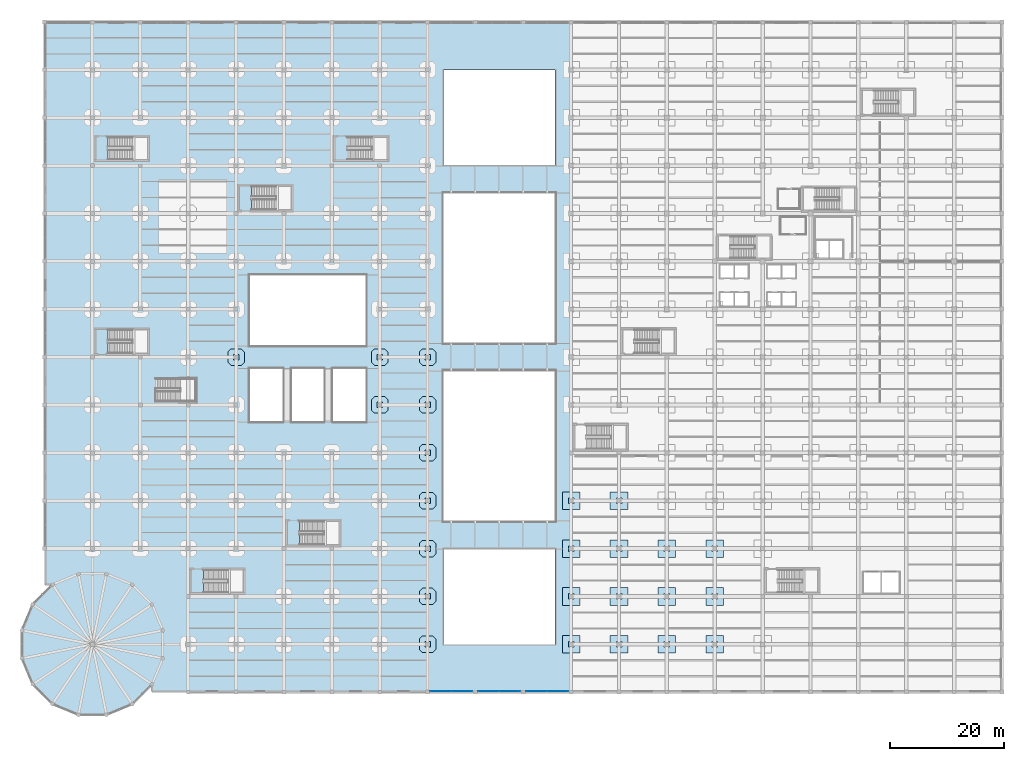
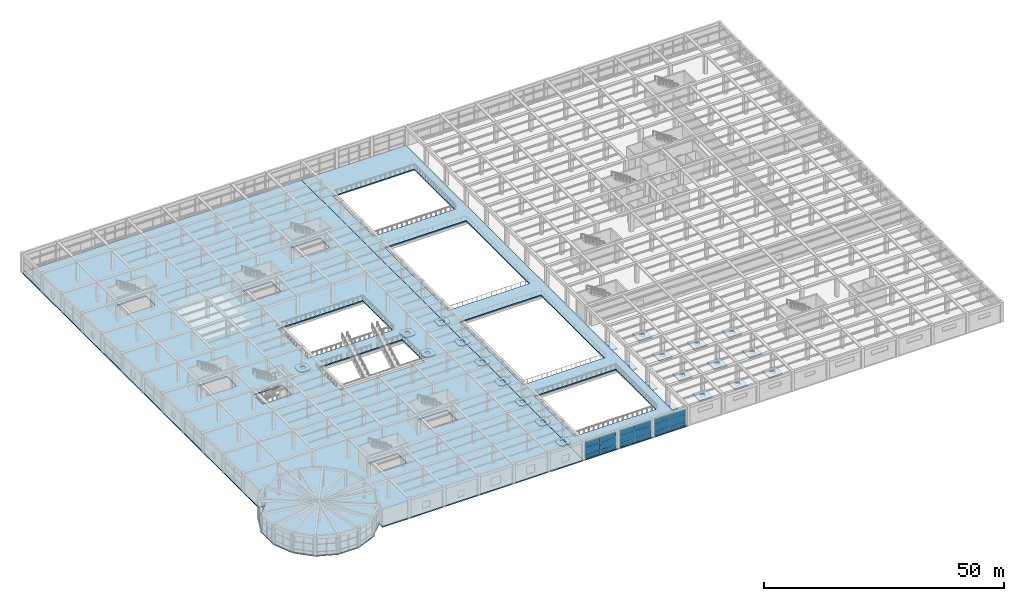
# One storey, part 70 of 96: 26 slabs, 18 plates, 3 elements without a shape of their own.
"""IFC4 building model written with IfcOpenShell, lengths in metres."""

from ifc_helpers import new_model, si_unit, direction, frame, origin, origin_2d, place, context, subcontext, project, spatial, polyline, rectangle, outline, extrude, material, layer, layer_set, type_object, element, aggregate, save


model = new_model("IFC4")

# Units and contexts
model_context = context("Model", 3, precision=1e-05, world=origin(), true_north=direction((0.0, 1.0)))
body_context = subcontext(model_context, "Body", "Model", "MODEL_VIEW")
ifc_project = project(units=[si_unit("LENGTHUNIT", "METRE"), si_unit("AREAUNIT", "SQUARE_METRE"), si_unit("VOLUMEUNIT", "CUBIC_METRE"), si_unit("PLANEANGLEUNIT", "RADIAN"), si_unit("MASSUNIT", "GRAM", prefix="KILO")], contexts=[model_context])

# Site, building, storey
site_placement = place(None, origin())
site = spatial("IfcSite", under=ifc_project, at=site_placement, CompositionType="ELEMENT")
building_placement = place(site_placement, origin())
building = spatial("IfcBuilding", under=site, at=building_placement, Name="Almacenes y Pasaje Nevantli", CompositionType="ELEMENT")
storey_placement = place(building_placement, frame((0.0, 0.0, 6.0)))
storey = spatial("IfcBuildingStorey", under=building, at=storey_placement, Name="L02", CompositionType="ELEMENT", Elevation=6.0)

# Curtain wall, plates
ifc_material_1 = material(Name="Thermally Broken Aluminium and Low-E Glass", Category="aluminium")
curtain_wall_type = type_object("IfcCurtainWallType", Name="CW-STF-ARCADE", PredefinedType="USERDEFINED", material=ifc_material_1)
curtain_wall_1_placement = place(storey_placement, origin())
curtain_wall_1 = element("IfcCurtainWall", 1, at=curtain_wall_1_placement, inside=storey, type_object=curtain_wall_type, Name="L02 South Arcade Portal Curtain Wall Bay 9", ObjectType="STOREFRONT GLAZING", PredefinedType="USERDEFINED")
ifc_material_2 = material(Name="Low-E Double Glazed Insulated Unit", Category="glass")
ifc_layer_1 = layer(ifc_material_2, 0.031982421875)
ifc_layer_set_1 = layer_set([ifc_layer_1], Name="Low-E Double Glazed Insulated Unit")
plate_type = type_object("IfcPlateType", Name="PL-IGU-32", PredefinedType="CURTAIN_PANEL", material=ifc_layer_set_1)
plate_1_placement = place(storey_placement, frame((69.5400390625, 0.14990234375, 0.06005859375), z_axis=(0.0, 0.0, 1.0), x_axis=(1.0, 0.0, 0.0)))
plate_1 = element("IfcPlate", 2, at=plate_1_placement, type_object=plate_type, Name="CW-L02-012 panel 1.1", PredefinedType="CURTAIN_PANEL", context=body_context, shape_type="SweptSolid", body=[
    extrude(rectangle(XDim=3.659912109375, YDim=0.031982421875, at=origin_2d()), origin(), (0.0, 0.0, 1.0), 0.860107421875),
])
plate_2_placement = place(storey_placement, frame((69.5400390625, 0.14990234375, 0.97998046875), z_axis=(0.0, 0.0, 1.0), x_axis=(1.0, 0.0, 0.0)))
plate_2 = element("IfcPlate", 3, at=plate_2_placement, type_object=plate_type, Name="CW-L02-012 panel 1.2", PredefinedType="CURTAIN_PANEL", context=body_context, shape_type="SweptSolid", body=[
    extrude(rectangle(XDim=3.659912109375, YDim=0.031982421875, at=origin_2d()), origin(), (0.0, 0.0, 1.0), 1.840087890625),
])
plate_3_placement = place(storey_placement, frame((69.5400390625, 0.14990234375, 2.880126953125), z_axis=(0.0, 0.0, 1.0), x_axis=(1.0, 0.0, 0.0)))
plate_3 = element("IfcPlate", 4, at=plate_3_placement, type_object=plate_type, Name="CW-L02-012 panel 1.3", PredefinedType="CURTAIN_PANEL", context=body_context, shape_type="SweptSolid", body=[
    extrude(rectangle(XDim=3.659912109375, YDim=0.031982421875, at=origin_2d()), origin(), (0.0, 0.0, 1.0), 1.43994140625),
])
plate_4_placement = place(storey_placement, frame((73.260009765625, 0.14990234375, 0.06005859375), z_axis=(0.0, 0.0, 1.0), x_axis=(1.0, 0.0, 0.0)))
plate_4 = element("IfcPlate", 5, at=plate_4_placement, type_object=plate_type, Name="CW-L02-012 panel 2.1", PredefinedType="CURTAIN_PANEL", context=body_context, shape_type="SweptSolid", body=[
    extrude(rectangle(XDim=3.659912109375, YDim=0.031982421875, at=origin_2d()), origin(), (0.0, 0.0, 1.0), 0.860107421875),
])
plate_5_placement = place(storey_placement, frame((73.260009765625, 0.14990234375, 0.97998046875), z_axis=(0.0, 0.0, 1.0), x_axis=(1.0, 0.0, 0.0)))
plate_5 = element("IfcPlate", 6, at=plate_5_placement, type_object=plate_type, Name="CW-L02-012 panel 2.2", PredefinedType="CURTAIN_PANEL", context=body_context, shape_type="SweptSolid", body=[
    extrude(rectangle(XDim=3.659912109375, YDim=0.031982421875, at=origin_2d()), origin(), (0.0, 0.0, 1.0), 1.840087890625),
])
plate_6_placement = place(storey_placement, frame((73.260009765625, 0.14990234375, 2.880126953125), z_axis=(0.0, 0.0, 1.0), x_axis=(1.0, 0.0, 0.0)))
plate_6 = element("IfcPlate", 7, at=plate_6_placement, type_object=plate_type, Name="CW-L02-012 panel 2.3", PredefinedType="CURTAIN_PANEL", context=body_context, shape_type="SweptSolid", body=[
    extrude(rectangle(XDim=3.659912109375, YDim=0.031982421875, at=origin_2d()), origin(), (0.0, 0.0, 1.0), 1.43994140625),
])
aggregate(curtain_wall_1, [plate_1, plate_2, plate_3, plate_4, plate_5, plate_6])

curtain_wall_2_placement = place(storey_placement, origin())
curtain_wall_2 = element("IfcCurtainWall", 8, at=curtain_wall_2_placement, inside=storey, type_object=curtain_wall_type, Name="L02 South Arcade Portal Curtain Wall Bay 10", ObjectType="STOREFRONT GLAZING", PredefinedType="USERDEFINED")
plate_7_placement = place(storey_placement, frame((77.93994140625, 0.14990234375, 0.06005859375), z_axis=(0.0, 0.0, 1.0), x_axis=(1.0, 0.0, 0.0)))
plate_7 = element("IfcPlate", 9, at=plate_7_placement, type_object=plate_type, Name="CW-L02-013 panel 1.1", PredefinedType="CURTAIN_PANEL", context=body_context, shape_type="SweptSolid", body=[
    extrude(rectangle(XDim=3.659912109375, YDim=0.031982421875, at=origin_2d()), origin(), (0.0, 0.0, 1.0), 0.860107421875),
])
plate_8_placement = place(storey_placement, frame((77.93994140625, 0.14990234375, 0.97998046875), z_axis=(0.0, 0.0, 1.0), x_axis=(1.0, 0.0, 0.0)))
plate_8 = element("IfcPlate", 10, at=plate_8_placement, type_object=plate_type, Name="CW-L02-013 panel 1.2", PredefinedType="CURTAIN_PANEL", context=body_context, shape_type="SweptSolid", body=[
    extrude(rectangle(XDim=3.659912109375, YDim=0.031982421875, at=origin_2d()), origin(), (0.0, 0.0, 1.0), 1.840087890625),
])
plate_9_placement = place(storey_placement, frame((77.93994140625, 0.14990234375, 2.880126953125), z_axis=(0.0, 0.0, 1.0), x_axis=(1.0, 0.0, 0.0)))
plate_9 = element("IfcPlate", 11, at=plate_9_placement, type_object=plate_type, Name="CW-L02-013 panel 1.3", PredefinedType="CURTAIN_PANEL", context=body_context, shape_type="SweptSolid", body=[
    extrude(rectangle(XDim=3.659912109375, YDim=0.031982421875, at=origin_2d()), origin(), (0.0, 0.0, 1.0), 1.43994140625),
])
plate_10_placement = place(storey_placement, frame((81.659912109375, 0.14990234375, 0.06005859375), z_axis=(0.0, 0.0, 1.0), x_axis=(1.0, 0.0, 0.0)))
plate_10 = element("IfcPlate", 12, at=plate_10_placement, type_object=plate_type, Name="CW-L02-013 panel 2.1", PredefinedType="CURTAIN_PANEL", context=body_context, shape_type="SweptSolid", body=[
    extrude(rectangle(XDim=3.659912109375, YDim=0.031982421875, at=origin_2d()), origin(), (0.0, 0.0, 1.0), 0.860107421875),
])
plate_11_placement = place(storey_placement, frame((81.659912109375, 0.14990234375, 0.97998046875), z_axis=(0.0, 0.0, 1.0), x_axis=(1.0, 0.0, 0.0)))
plate_11 = element("IfcPlate", 13, at=plate_11_placement, type_object=plate_type, Name="CW-L02-013 panel 2.2", PredefinedType="CURTAIN_PANEL", context=body_context, shape_type="SweptSolid", body=[
    extrude(rectangle(XDim=3.659912109375, YDim=0.031982421875, at=origin_2d()), origin(), (0.0, 0.0, 1.0), 1.840087890625),
])
plate_12_placement = place(storey_placement, frame((81.659912109375, 0.14990234375, 2.880126953125), z_axis=(0.0, 0.0, 1.0), x_axis=(1.0, 0.0, 0.0)))
plate_12 = element("IfcPlate", 14, at=plate_12_placement, type_object=plate_type, Name="CW-L02-013 panel 2.3", PredefinedType="CURTAIN_PANEL", context=body_context, shape_type="SweptSolid", body=[
    extrude(rectangle(XDim=3.659912109375, YDim=0.031982421875, at=origin_2d()), origin(), (0.0, 0.0, 1.0), 1.43994140625),
])
aggregate(curtain_wall_2, [plate_7, plate_8, plate_9, plate_10, plate_11, plate_12])

curtain_wall_3_placement = place(storey_placement, origin())
curtain_wall_3 = element("IfcCurtainWall", 15, at=curtain_wall_3_placement, inside=storey, type_object=curtain_wall_type, Name="L02 South Arcade Portal Curtain Wall Bay 11", ObjectType="STOREFRONT GLAZING", PredefinedType="USERDEFINED")
plate_13_placement = place(storey_placement, frame((86.340087890625, 0.14990234375, 0.06005859375), z_axis=(0.0, 0.0, 1.0), x_axis=(1.0, 0.0, 0.0)))
plate_13 = element("IfcPlate", 16, at=plate_13_placement, type_object=plate_type, Name="CW-L02-014 panel 1.1", PredefinedType="CURTAIN_PANEL", context=body_context, shape_type="SweptSolid", body=[
    extrude(rectangle(XDim=3.659912109375, YDim=0.031982421875, at=origin_2d()), origin(), (0.0, 0.0, 1.0), 0.860107421875),
])
plate_14_placement = place(storey_placement, frame((86.340087890625, 0.14990234375, 0.97998046875), z_axis=(0.0, 0.0, 1.0), x_axis=(1.0, 0.0, 0.0)))
plate_14 = element("IfcPlate", 17, at=plate_14_placement, type_object=plate_type, Name="CW-L02-014 panel 1.2", PredefinedType="CURTAIN_PANEL", context=body_context, shape_type="SweptSolid", body=[
    extrude(rectangle(XDim=3.659912109375, YDim=0.031982421875, at=origin_2d()), origin(), (0.0, 0.0, 1.0), 1.840087890625),
])
plate_15_placement = place(storey_placement, frame((86.340087890625, 0.14990234375, 2.880126953125), z_axis=(0.0, 0.0, 1.0), x_axis=(1.0, 0.0, 0.0)))
plate_15 = element("IfcPlate", 18, at=plate_15_placement, type_object=plate_type, Name="CW-L02-014 panel 1.3", PredefinedType="CURTAIN_PANEL", context=body_context, shape_type="SweptSolid", body=[
    extrude(rectangle(XDim=3.659912109375, YDim=0.031982421875, at=origin_2d()), origin(), (0.0, 0.0, 1.0), 1.43994140625),
])
plate_16_placement = place(storey_placement, frame((90.06005859375, 0.14990234375, 0.06005859375), z_axis=(0.0, 0.0, 1.0), x_axis=(1.0, 0.0, 0.0)))
plate_16 = element("IfcPlate", 19, at=plate_16_placement, type_object=plate_type, Name="CW-L02-014 panel 2.1", PredefinedType="CURTAIN_PANEL", context=body_context, shape_type="SweptSolid", body=[
    extrude(rectangle(XDim=3.659912109375, YDim=0.031982421875, at=origin_2d()), origin(), (0.0, 0.0, 1.0), 0.860107421875),
])
plate_17_placement = place(storey_placement, frame((90.06005859375, 0.14990234375, 0.97998046875), z_axis=(0.0, 0.0, 1.0), x_axis=(1.0, 0.0, 0.0)))
plate_17 = element("IfcPlate", 20, at=plate_17_placement, type_object=plate_type, Name="CW-L02-014 panel 2.2", PredefinedType="CURTAIN_PANEL", context=body_context, shape_type="SweptSolid", body=[
    extrude(rectangle(XDim=3.659912109375, YDim=0.031982421875, at=origin_2d()), origin(), (0.0, 0.0, 1.0), 1.840087890625),
])
plate_18_placement = place(storey_placement, frame((90.06005859375, 0.14990234375, 2.880126953125), z_axis=(0.0, 0.0, 1.0), x_axis=(1.0, 0.0, 0.0)))
plate_18 = element("IfcPlate", 21, at=plate_18_placement, type_object=plate_type, Name="CW-L02-014 panel 2.3", PredefinedType="CURTAIN_PANEL", context=body_context, shape_type="SweptSolid", body=[
    extrude(rectangle(XDim=3.659912109375, YDim=0.031982421875, at=origin_2d()), origin(), (0.0, 0.0, 1.0), 1.43994140625),
])
aggregate(curtain_wall_3, [plate_13, plate_14, plate_15, plate_16, plate_17, plate_18])

# Slabs
ifc_material_3 = material(Name="Concrete C35/45", Category="concrete")
ifc_layer_2 = layer(ifc_material_3, 0.25)
ifc_layer_set_2 = layer_set([ifc_layer_2], Name="Concrete C35/45")
slab_type_1 = type_object("IfcSlabType", Name="SLB-DP-250", PredefinedType="USERDEFINED", material=ifc_layer_set_2)
slab_1_placement = place(storey_placement, frame((0.0, 0.0, -0.550048828125)))
element("IfcSlab", 22, at=slab_1_placement, inside=storey, type_object=slab_type_1, Name="L02 Punching-Shear Drop Panel DP-02 #433", ObjectType="DROP PANEL", PredefinedType="USERDEFINED", context=body_context, shape_type="SweptSolid", body=[
    extrude(outline(polyline([(32.699951171875, 57.35009765625), (34.5, 57.35009765625), (35.050048828125, 57.89990234375), (35.050048828125, 59.699951171875), (34.5, 60.25), (32.699951171875, 60.25), (32.14990234375, 59.699951171875), (32.14990234375, 57.89990234375), (32.699951171875, 57.35009765625)]), holes=[polyline([(33.1201171875, 58.320068359375), (34.080078125, 58.320068359375), (34.080078125, 59.280029296875), (33.1201171875, 59.280029296875), (33.1201171875, 58.320068359375)])]), origin(), (0.0, 0.0, 1.0), 0.25),
])
slab_2_placement = place(storey_placement, frame((0.0, 0.0, -0.550048828125)))
element("IfcSlab", 23, at=slab_2_placement, inside=storey, type_object=slab_type_1, Name="L02 Punching-Shear Drop Panel DP-02 #460", ObjectType="DROP PANEL", PredefinedType="USERDEFINED", context=body_context, shape_type="SweptSolid", body=[
    extrude(outline(polyline([(57.89990234375, 48.949951171875), (59.699951171875, 48.949951171875), (60.25, 49.5), (60.25, 51.300048828125), (59.699951171875, 51.85009765625), (57.89990234375, 51.85009765625), (57.35009765625, 51.300048828125), (57.35009765625, 49.5), (57.89990234375, 48.949951171875)]), holes=[polyline([(58.320068359375, 49.919921875), (59.280029296875, 49.919921875), (59.280029296875, 50.8798828125), (58.320068359375, 50.8798828125), (58.320068359375, 49.919921875)])]), origin(), (0.0, 0.0, 1.0), 0.25),
])
slab_3_placement = place(storey_placement, frame((0.0, 0.0, -0.550048828125)))
element("IfcSlab", 24, at=slab_3_placement, inside=storey, type_object=slab_type_1, Name="L02 Punching-Shear Drop Panel DP-02 #461", ObjectType="DROP PANEL", PredefinedType="USERDEFINED", context=body_context, shape_type="SweptSolid", body=[
    extrude(outline(polyline([(57.89990234375, 57.35009765625), (59.699951171875, 57.35009765625), (60.25, 57.89990234375), (60.25, 59.699951171875), (59.699951171875, 60.25), (57.89990234375, 60.25), (57.35009765625, 59.699951171875), (57.35009765625, 57.89990234375), (57.89990234375, 57.35009765625)]), holes=[polyline([(58.320068359375, 58.320068359375), (59.280029296875, 58.320068359375), (59.280029296875, 59.280029296875), (58.320068359375, 59.280029296875), (58.320068359375, 58.320068359375)])]), origin(), (0.0, 0.0, 1.0), 0.25),
])
slab_4_placement = place(storey_placement, frame((0.0, 0.0, -0.550048828125)))
element("IfcSlab", 25, at=slab_4_placement, inside=storey, type_object=slab_type_1, Name="L02 Punching-Shear Drop Panel DP-02 #467", ObjectType="DROP PANEL", PredefinedType="USERDEFINED", context=body_context, shape_type="SweptSolid", body=[
    extrude(outline(polyline([(66.300048828125, 6.949951171875), (68.10009765625, 6.949951171875), (68.64990234375, 7.5), (68.64990234375, 9.300048828125), (68.10009765625, 9.85009765625), (66.300048828125, 9.85009765625), (65.75, 9.300048828125), (65.75, 7.5), (66.300048828125, 6.949951171875)]), holes=[polyline([(66.719970703125, 7.919921875), (67.679931640625, 7.919921875), (67.679931640625, 8.8798828125), (66.719970703125, 8.8798828125), (66.719970703125, 7.919921875)])]), origin(), (0.0, 0.0, 1.0), 0.25),
])
slab_5_placement = place(storey_placement, frame((0.0, 0.0, -0.550048828125)))
element("IfcSlab", 26, at=slab_5_placement, inside=storey, type_object=slab_type_1, Name="L02 Punching-Shear Drop Panel DP-02 #468", ObjectType="DROP PANEL", PredefinedType="USERDEFINED", context=body_context, shape_type="SweptSolid", body=[
    extrude(outline(polyline([(66.300048828125, 15.35009765625), (68.10009765625, 15.35009765625), (68.64990234375, 15.89990234375), (68.64990234375, 17.699951171875), (68.10009765625, 18.25), (66.300048828125, 18.25), (65.75, 17.699951171875), (65.75, 15.89990234375), (66.300048828125, 15.35009765625)]), holes=[polyline([(66.719970703125, 16.320068359375), (67.679931640625, 16.320068359375), (67.679931640625, 17.280029296875), (66.719970703125, 17.280029296875), (66.719970703125, 16.320068359375)])]), origin(), (0.0, 0.0, 1.0), 0.25),
])
slab_6_placement = place(storey_placement, frame((0.0, 0.0, -0.550048828125)))
element("IfcSlab", 27, at=slab_6_placement, inside=storey, type_object=slab_type_1, Name="L02 Punching-Shear Drop Panel DP-02 #469", ObjectType="DROP PANEL", PredefinedType="USERDEFINED", context=body_context, shape_type="SweptSolid", body=[
    extrude(outline(polyline([(66.300048828125, 23.75), (68.10009765625, 23.75), (68.64990234375, 24.300048828125), (68.64990234375, 26.10009765625), (68.10009765625, 26.64990234375), (66.300048828125, 26.64990234375), (65.75, 26.10009765625), (65.75, 24.300048828125), (66.300048828125, 23.75)]), holes=[polyline([(66.719970703125, 24.719970703125), (67.679931640625, 24.719970703125), (67.679931640625, 25.679931640625), (66.719970703125, 25.679931640625), (66.719970703125, 24.719970703125)])]), origin(), (0.0, 0.0, 1.0), 0.25),
])
slab_7_placement = place(storey_placement, frame((0.0, 0.0, -0.550048828125)))
element("IfcSlab", 28, at=slab_7_placement, inside=storey, type_object=slab_type_1, Name="L02 Punching-Shear Drop Panel DP-02 #470", ObjectType="DROP PANEL", PredefinedType="USERDEFINED", context=body_context, shape_type="SweptSolid", body=[
    extrude(outline(polyline([(66.300048828125, 32.14990234375), (68.10009765625, 32.14990234375), (68.64990234375, 32.699951171875), (68.64990234375, 34.5), (68.10009765625, 35.050048828125), (66.300048828125, 35.050048828125), (65.75, 34.5), (65.75, 32.699951171875), (66.300048828125, 32.14990234375)]), holes=[polyline([(66.719970703125, 33.1201171875), (67.679931640625, 33.1201171875), (67.679931640625, 34.080078125), (66.719970703125, 34.080078125), (66.719970703125, 33.1201171875)])]), origin(), (0.0, 0.0, 1.0), 0.25),
])
slab_8_placement = place(storey_placement, frame((0.0, 0.0, -0.550048828125)))
element("IfcSlab", 29, at=slab_8_placement, inside=storey, type_object=slab_type_1, Name="L02 Punching-Shear Drop Panel DP-02 #471", ObjectType="DROP PANEL", PredefinedType="USERDEFINED", context=body_context, shape_type="SweptSolid", body=[
    extrude(outline(polyline([(66.300048828125, 40.550048828125), (68.10009765625, 40.550048828125), (68.64990234375, 41.10009765625), (68.64990234375, 42.89990234375), (68.10009765625, 43.449951171875), (66.300048828125, 43.449951171875), (65.75, 42.89990234375), (65.75, 41.10009765625), (66.300048828125, 40.550048828125)]), holes=[polyline([(66.719970703125, 41.52001953125), (67.679931640625, 41.52001953125), (67.679931640625, 42.47998046875), (66.719970703125, 42.47998046875), (66.719970703125, 41.52001953125)])]), origin(), (0.0, 0.0, 1.0), 0.25),
])
slab_9_placement = place(storey_placement, frame((0.0, 0.0, -0.550048828125)))
element("IfcSlab", 30, at=slab_9_placement, inside=storey, type_object=slab_type_1, Name="L02 Punching-Shear Drop Panel DP-02 #472", ObjectType="DROP PANEL", PredefinedType="USERDEFINED", context=body_context, shape_type="SweptSolid", body=[
    extrude(outline(polyline([(66.300048828125, 48.949951171875), (68.10009765625, 48.949951171875), (68.64990234375, 49.5), (68.64990234375, 51.300048828125), (68.10009765625, 51.85009765625), (66.300048828125, 51.85009765625), (65.75, 51.300048828125), (65.75, 49.5), (66.300048828125, 48.949951171875)]), holes=[polyline([(66.719970703125, 49.919921875), (67.679931640625, 49.919921875), (67.679931640625, 50.8798828125), (66.719970703125, 50.8798828125), (66.719970703125, 49.919921875)])]), origin(), (0.0, 0.0, 1.0), 0.25),
])
slab_10_placement = place(storey_placement, frame((0.0, 0.0, -0.550048828125)))
element("IfcSlab", 31, at=slab_10_placement, inside=storey, type_object=slab_type_1, Name="L02 Punching-Shear Drop Panel DP-02 #473", ObjectType="DROP PANEL", PredefinedType="USERDEFINED", context=body_context, shape_type="SweptSolid", body=[
    extrude(outline(polyline([(66.300048828125, 57.35009765625), (68.10009765625, 57.35009765625), (68.64990234375, 57.89990234375), (68.64990234375, 59.699951171875), (68.10009765625, 60.25), (66.300048828125, 60.25), (65.75, 59.699951171875), (65.75, 57.89990234375), (66.300048828125, 57.35009765625)]), holes=[polyline([(66.719970703125, 58.320068359375), (67.679931640625, 58.320068359375), (67.679931640625, 59.280029296875), (66.719970703125, 59.280029296875), (66.719970703125, 58.320068359375)])]), origin(), (0.0, 0.0, 1.0), 0.25),
])
ifc_material_4 = material(Name="Concrete C35/45", Category="concrete")
ifc_layer_3 = layer(ifc_material_4, 0.31005859375)
ifc_layer_set_3 = layer_set([ifc_layer_3], Name="Concrete C35/45")
slab_type_2 = type_object("IfcSlabType", Name="SLB-DP-310", PredefinedType="USERDEFINED", material=ifc_layer_set_3)
slab_11_placement = place(storey_placement, frame((0.0, 0.0, -0.610107421875)))
element("IfcSlab", 32, at=slab_11_placement, inside=storey, type_object=slab_type_2, Name="L02 Punching-Shear Drop Panel DP-03 #480", ObjectType="DROP PANEL", PredefinedType="USERDEFINED", context=body_context, shape_type="SweptSolid", body=[
    extrude(outline(polyline([(90.85009765625, 6.85009765625), (93.949951171875, 6.85009765625), (93.949951171875, 9.949951171875), (90.85009765625, 9.949951171875), (90.85009765625, 6.85009765625)]), holes=[polyline([(91.919921875, 7.919921875), (92.8798828125, 7.919921875), (92.8798828125, 8.8798828125), (91.919921875, 8.8798828125), (91.919921875, 7.919921875)])]), origin(), (0.0, 0.0, 1.0), 0.31005859375),
])
slab_12_placement = place(storey_placement, frame((0.0, 0.0, -0.610107421875)))
element("IfcSlab", 33, at=slab_12_placement, inside=storey, type_object=slab_type_2, Name="L02 Punching-Shear Drop Panel DP-03 #481", ObjectType="DROP PANEL", PredefinedType="USERDEFINED", context=body_context, shape_type="SweptSolid", body=[
    extrude(outline(polyline([(90.85009765625, 15.25), (93.949951171875, 15.25), (93.949951171875, 18.35009765625), (90.85009765625, 18.35009765625), (90.85009765625, 15.25)]), holes=[polyline([(91.919921875, 16.320068359375), (92.8798828125, 16.320068359375), (92.8798828125, 17.280029296875), (91.919921875, 17.280029296875), (91.919921875, 16.320068359375)])]), origin(), (0.0, 0.0, 1.0), 0.31005859375),
])
slab_13_placement = place(storey_placement, frame((0.0, 0.0, -0.610107421875)))
element("IfcSlab", 34, at=slab_13_placement, inside=storey, type_object=slab_type_2, Name="L02 Punching-Shear Drop Panel DP-03 #482", ObjectType="DROP PANEL", PredefinedType="USERDEFINED", context=body_context, shape_type="SweptSolid", body=[
    extrude(outline(polyline([(90.85009765625, 23.64990234375), (93.949951171875, 23.64990234375), (93.949951171875, 26.75), (90.85009765625, 26.75), (90.85009765625, 23.64990234375)]), holes=[polyline([(91.919921875, 24.719970703125), (92.8798828125, 24.719970703125), (92.8798828125, 25.679931640625), (91.919921875, 25.679931640625), (91.919921875, 24.719970703125)])]), origin(), (0.0, 0.0, 1.0), 0.31005859375),
])
slab_14_placement = place(storey_placement, frame((0.0, 0.0, -0.610107421875)))
element("IfcSlab", 35, at=slab_14_placement, inside=storey, type_object=slab_type_2, Name="L02 Punching-Shear Drop Panel DP-03 #483", ObjectType="DROP PANEL", PredefinedType="USERDEFINED", context=body_context, shape_type="SweptSolid", body=[
    extrude(outline(polyline([(90.85009765625, 32.050048828125), (93.949951171875, 32.050048828125), (93.949951171875, 35.14990234375), (90.85009765625, 35.14990234375), (90.85009765625, 32.050048828125)]), holes=[polyline([(91.919921875, 33.1201171875), (92.8798828125, 33.1201171875), (92.8798828125, 34.080078125), (91.919921875, 34.080078125), (91.919921875, 33.1201171875)])]), origin(), (0.0, 0.0, 1.0), 0.31005859375),
])
slab_15_placement = place(storey_placement, frame((0.0, 0.0, -0.610107421875)))
element("IfcSlab", 36, at=slab_15_placement, inside=storey, type_object=slab_type_2, Name="L02 Punching-Shear Drop Panel DP-03 #492", ObjectType="DROP PANEL", PredefinedType="USERDEFINED", context=body_context, shape_type="SweptSolid", body=[
    extrude(outline(polyline([(99.25, 6.85009765625), (102.35009765625, 6.85009765625), (102.35009765625, 9.949951171875), (99.25, 9.949951171875), (99.25, 6.85009765625)]), holes=[polyline([(100.320068359375, 7.919921875), (101.280029296875, 7.919921875), (101.280029296875, 8.8798828125), (100.320068359375, 8.8798828125), (100.320068359375, 7.919921875)])]), origin(), (0.0, 0.0, 1.0), 0.31005859375),
])
slab_16_placement = place(storey_placement, frame((0.0, 0.0, -0.610107421875)))
element("IfcSlab", 37, at=slab_16_placement, inside=storey, type_object=slab_type_2, Name="L02 Punching-Shear Drop Panel DP-03 #493", ObjectType="DROP PANEL", PredefinedType="USERDEFINED", context=body_context, shape_type="SweptSolid", body=[
    extrude(outline(polyline([(99.25, 15.25), (102.35009765625, 15.25), (102.35009765625, 18.35009765625), (99.25, 18.35009765625), (99.25, 15.25)]), holes=[polyline([(100.320068359375, 16.320068359375), (101.280029296875, 16.320068359375), (101.280029296875, 17.280029296875), (100.320068359375, 17.280029296875), (100.320068359375, 16.320068359375)])]), origin(), (0.0, 0.0, 1.0), 0.31005859375),
])
slab_17_placement = place(storey_placement, frame((0.0, 0.0, -0.610107421875)))
element("IfcSlab", 38, at=slab_17_placement, inside=storey, type_object=slab_type_2, Name="L02 Punching-Shear Drop Panel DP-03 #494", ObjectType="DROP PANEL", PredefinedType="USERDEFINED", context=body_context, shape_type="SweptSolid", body=[
    extrude(outline(polyline([(99.25, 23.64990234375), (102.35009765625, 23.64990234375), (102.35009765625, 26.75), (99.25, 26.75), (99.25, 23.64990234375)]), holes=[polyline([(100.320068359375, 24.719970703125), (101.280029296875, 24.719970703125), (101.280029296875, 25.679931640625), (100.320068359375, 25.679931640625), (100.320068359375, 24.719970703125)])]), origin(), (0.0, 0.0, 1.0), 0.31005859375),
])
slab_18_placement = place(storey_placement, frame((0.0, 0.0, -0.610107421875)))
element("IfcSlab", 39, at=slab_18_placement, inside=storey, type_object=slab_type_2, Name="L02 Punching-Shear Drop Panel DP-03 #495", ObjectType="DROP PANEL", PredefinedType="USERDEFINED", context=body_context, shape_type="SweptSolid", body=[
    extrude(outline(polyline([(99.25, 32.050048828125), (102.35009765625, 32.050048828125), (102.35009765625, 35.14990234375), (99.25, 35.14990234375), (99.25, 32.050048828125)]), holes=[polyline([(100.320068359375, 33.1201171875), (101.280029296875, 33.1201171875), (101.280029296875, 34.080078125), (100.320068359375, 34.080078125), (100.320068359375, 33.1201171875)])]), origin(), (0.0, 0.0, 1.0), 0.31005859375),
])
slab_19_placement = place(storey_placement, frame((0.0, 0.0, -0.610107421875)))
element("IfcSlab", 40, at=slab_19_placement, inside=storey, type_object=slab_type_2, Name="L02 Punching-Shear Drop Panel DP-03 #503", ObjectType="DROP PANEL", PredefinedType="USERDEFINED", context=body_context, shape_type="SweptSolid", body=[
    extrude(outline(polyline([(107.64990234375, 6.85009765625), (110.75, 6.85009765625), (110.75, 9.949951171875), (107.64990234375, 9.949951171875), (107.64990234375, 6.85009765625)]), holes=[polyline([(108.719970703125, 7.919921875), (109.679931640625, 7.919921875), (109.679931640625, 8.8798828125), (108.719970703125, 8.8798828125), (108.719970703125, 7.919921875)])]), origin(), (0.0, 0.0, 1.0), 0.31005859375),
])
slab_20_placement = place(storey_placement, frame((0.0, 0.0, -0.610107421875)))
element("IfcSlab", 41, at=slab_20_placement, inside=storey, type_object=slab_type_2, Name="L02 Punching-Shear Drop Panel DP-03 #504", ObjectType="DROP PANEL", PredefinedType="USERDEFINED", context=body_context, shape_type="SweptSolid", body=[
    extrude(outline(polyline([(107.64990234375, 15.25), (110.75, 15.25), (110.75, 18.35009765625), (107.64990234375, 18.35009765625), (107.64990234375, 15.25)]), holes=[polyline([(108.719970703125, 16.320068359375), (109.679931640625, 16.320068359375), (109.679931640625, 17.280029296875), (108.719970703125, 17.280029296875), (108.719970703125, 16.320068359375)])]), origin(), (0.0, 0.0, 1.0), 0.31005859375),
])
slab_21_placement = place(storey_placement, frame((0.0, 0.0, -0.610107421875)))
element("IfcSlab", 42, at=slab_21_placement, inside=storey, type_object=slab_type_2, Name="L02 Punching-Shear Drop Panel DP-03 #505", ObjectType="DROP PANEL", PredefinedType="USERDEFINED", context=body_context, shape_type="SweptSolid", body=[
    extrude(outline(polyline([(107.64990234375, 23.64990234375), (110.75, 23.64990234375), (110.75, 26.75), (107.64990234375, 26.75), (107.64990234375, 23.64990234375)]), holes=[polyline([(108.719970703125, 24.719970703125), (109.679931640625, 24.719970703125), (109.679931640625, 25.679931640625), (108.719970703125, 25.679931640625), (108.719970703125, 24.719970703125)])]), origin(), (0.0, 0.0, 1.0), 0.31005859375),
])
slab_22_placement = place(storey_placement, frame((0.0, 0.0, -0.610107421875)))
element("IfcSlab", 43, at=slab_22_placement, inside=storey, type_object=slab_type_2, Name="L02 Punching-Shear Drop Panel DP-03 #515", ObjectType="DROP PANEL", PredefinedType="USERDEFINED", context=body_context, shape_type="SweptSolid", body=[
    extrude(outline(polyline([(116.050048828125, 6.85009765625), (119.14990234375, 6.85009765625), (119.14990234375, 9.949951171875), (116.050048828125, 9.949951171875), (116.050048828125, 6.85009765625)]), holes=[polyline([(117.1201171875, 7.919921875), (118.080078125, 7.919921875), (118.080078125, 8.8798828125), (117.1201171875, 8.8798828125), (117.1201171875, 7.919921875)])]), origin(), (0.0, 0.0, 1.0), 0.31005859375),
])
slab_23_placement = place(storey_placement, frame((0.0, 0.0, -0.610107421875)))
element("IfcSlab", 44, at=slab_23_placement, inside=storey, type_object=slab_type_2, Name="L02 Punching-Shear Drop Panel DP-03 #516", ObjectType="DROP PANEL", PredefinedType="USERDEFINED", context=body_context, shape_type="SweptSolid", body=[
    extrude(outline(polyline([(116.050048828125, 15.25), (119.14990234375, 15.25), (119.14990234375, 18.35009765625), (116.050048828125, 18.35009765625), (116.050048828125, 15.25)]), holes=[polyline([(117.1201171875, 16.320068359375), (118.080078125, 16.320068359375), (118.080078125, 17.280029296875), (117.1201171875, 17.280029296875), (117.1201171875, 16.320068359375)])]), origin(), (0.0, 0.0, 1.0), 0.31005859375),
])
slab_24_placement = place(storey_placement, frame((0.0, 0.0, -0.610107421875)))
element("IfcSlab", 45, at=slab_24_placement, inside=storey, type_object=slab_type_2, Name="L02 Punching-Shear Drop Panel DP-03 #517", ObjectType="DROP PANEL", PredefinedType="USERDEFINED", context=body_context, shape_type="SweptSolid", body=[
    extrude(outline(polyline([(116.050048828125, 23.64990234375), (119.14990234375, 23.64990234375), (119.14990234375, 26.75), (116.050048828125, 26.75), (116.050048828125, 23.64990234375)]), holes=[polyline([(117.1201171875, 24.719970703125), (118.080078125, 24.719970703125), (118.080078125, 25.679931640625), (117.1201171875, 25.679931640625), (117.1201171875, 24.719970703125)])]), origin(), (0.0, 0.0, 1.0), 0.31005859375),
])
ifc_material_5 = material(Name="Concrete C35/45", Category="concrete")
ifc_layer_4 = layer(ifc_material_5, 0.300048828125)
ifc_layer_set_4 = layer_set([ifc_layer_4], Name="Concrete C35/45")
slab_type_3 = type_object("IfcSlabType", Name="SLB-FLR-300", PredefinedType="FLOOR", material=ifc_layer_set_4)
slab_25_placement = place(storey_placement, frame((0.0, 0.0, -0.300048828125)))
element("IfcSlab", 46, at=slab_25_placement, inside=storey, type_object=slab_type_3, Name="L02 West Department Store and Rotunda Floor Slab", PredefinedType="FLOOR", context=body_context, shape_type="SweptSolid", body=[
    extrude(outline(polyline([(18.87646484375, 0.0), (67.199951171875, 0.0), (67.199951171875, 117.60009765625), (0.0, 117.60009765625), (0.0, 18.87646484375), (1.39990234375, 18.87646484375), (-2.076416015625, 15.400146484375), (-3.9580078125, 10.858154296875), (-3.9580078125, 5.94189453125), (-2.076416015625, 1.39990234375), (1.39990234375, -2.076416015625), (5.94189453125, -3.9580078125), (10.858154296875, -3.9580078125), (15.400146484375, -2.076416015625), (18.87646484375, 1.39990234375), (18.87646484375, 0.0)]), holes=[polyline([(11.114990234375, 93.449951171875), (18.10009765625, 93.449951171875), (18.10009765625, 97.39990234375), (11.114990234375, 97.39990234375), (11.114990234375, 93.449951171875)]), polyline([(27.9150390625, 17.5), (34.89990234375, 17.5), (34.89990234375, 21.449951171875), (27.9150390625, 21.449951171875), (27.9150390625, 17.5)]), polyline([(53.114990234375, 93.449951171875), (60.10009765625, 93.449951171875), (60.10009765625, 97.39990234375), (53.114990234375, 97.39990234375), (53.114990234375, 93.449951171875)]), polyline([(11.114990234375, 59.449951171875), (18.10009765625, 59.449951171875), (18.10009765625, 63.60009765625), (11.114990234375, 63.60009765625), (11.114990234375, 59.449951171875)]), polyline([(44.715087890625, 25.85009765625), (51.699951171875, 25.85009765625), (51.699951171875, 30.0), (44.715087890625, 30.0), (44.715087890625, 25.85009765625)]), polyline([(36.31494140625, 84.64990234375), (43.300048828125, 84.64990234375), (43.300048828125, 88.800048828125), (36.31494140625, 88.800048828125), (36.31494140625, 84.64990234375)]), polyline([(19.514892578125, 51.050048828125), (26.5, 51.050048828125), (26.5, 55.0), (19.514892578125, 55.0), (19.514892578125, 51.050048828125)]), polyline([(36.0, 47.449951171875), (56.39990234375, 47.449951171875), (56.39990234375, 56.800048828125), (36.0, 56.800048828125), (36.0, 47.449951171875)]), polyline([(36.0, 60.800048828125), (56.39990234375, 60.800048828125), (56.39990234375, 73.199951171875), (36.0, 73.199951171875), (36.0, 60.800048828125)])]), origin(), (0.0, 0.0, 1.0), 0.300048828125),
])
slab_26_placement = place(storey_placement, frame((0.0, 0.0, -0.300048828125)))
element("IfcSlab", 47, at=slab_26_placement, inside=storey, type_object=slab_type_3, Name="L02 Arcade Gallery and Pedestrian Bridge Slab", PredefinedType="FLOOR", context=body_context, shape_type="SweptSolid", body=[
    extrude(outline(polyline([(67.199951171875, 0.0), (92.39990234375, 0.0), (92.39990234375, 117.60009765625), (67.199951171875, 117.60009765625), (67.199951171875, 0.0)]), holes=[polyline([(70.0, 8.39990234375), (89.60009765625, 8.39990234375), (89.60009765625, 25.199951171875), (70.0, 25.199951171875), (70.0, 8.39990234375)]), polyline([(70.0, 30.0), (89.60009765625, 30.0), (89.60009765625, 56.39990234375), (70.0, 56.39990234375), (70.0, 30.0)]), polyline([(70.0, 61.199951171875), (89.60009765625, 61.199951171875), (89.60009765625, 87.60009765625), (70.0, 87.60009765625), (70.0, 61.199951171875)]), polyline([(70.0, 92.39990234375), (89.60009765625, 92.39990234375), (89.60009765625, 109.199951171875), (70.0, 109.199951171875), (70.0, 92.39990234375)])]), origin(), (0.0, 0.0, 1.0), 0.300048828125),
])

save(model, "model.ifc")
